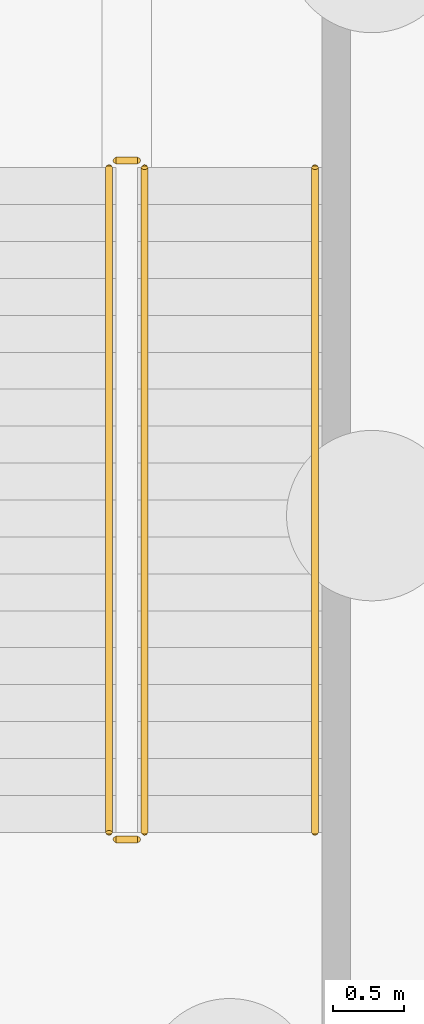
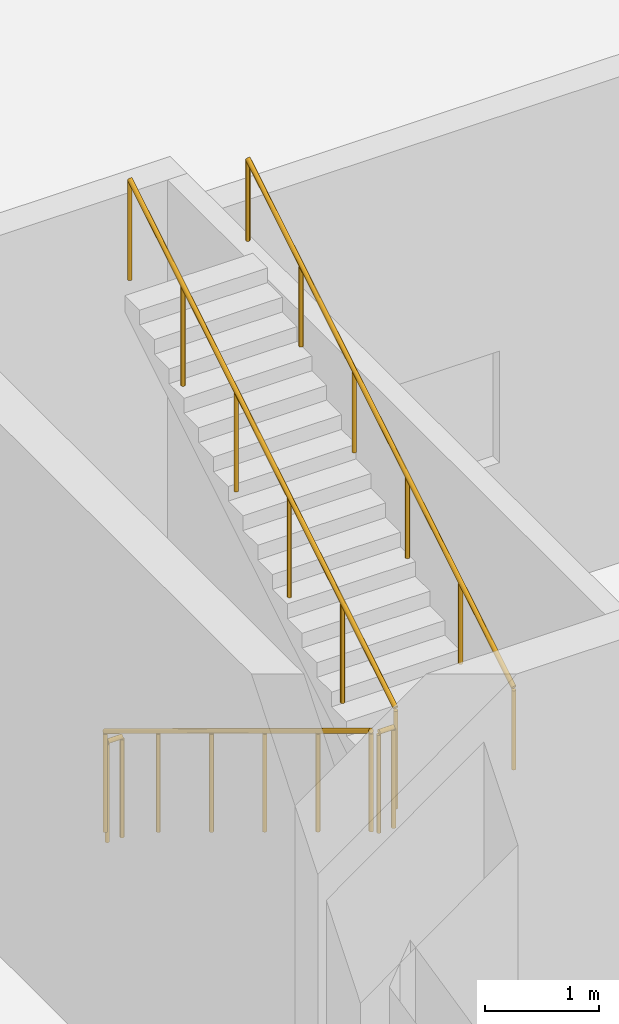
# One storey, part 96 of 108: 5 railings.
"""IFC4 building model written with IfcOpenShell, lengths in metres."""

from ifc_helpers import new_model, si_unit, direction, frame, origin, origin_2d, place, context, subcontext, project, spatial, circle, extrude, material, type_object, element, save


model = new_model("IFC4")

# Units and contexts
model_context = context("Model", 3, precision=1e-05, world=origin(), true_north=direction((0.0, 1.0)))
body_context = subcontext(model_context, "Body", "Model", "MODEL_VIEW")
ifc_project = project(units=[si_unit("LENGTHUNIT", "METRE"), si_unit("AREAUNIT", "SQUARE_METRE"), si_unit("VOLUMEUNIT", "CUBIC_METRE"), si_unit("PLANEANGLEUNIT", "RADIAN"), si_unit("MASSUNIT", "GRAM", prefix="KILO")], contexts=[model_context])

# Site, building, storey
site_placement = place(None, origin())
site = spatial("IfcSite", under=ifc_project, at=site_placement, CompositionType="ELEMENT")
building_placement = place(site_placement, origin())
building = spatial("IfcBuilding", under=site, at=building_placement, Name="Cresset Court Congress Hotel", CompositionType="ELEMENT")
storey_placement = place(building_placement, origin())
storey = spatial("IfcBuildingStorey", under=building, at=storey_placement, Name="L00", CompositionType="ELEMENT", Elevation=0.0)

# Railings
ifc_material_1 = material(Name="Stainless steel", Category="steel")
railing_type_1 = type_object("IfcRailingType", Name="Handrail 900", PredefinedType="HANDRAIL", material=ifc_material_1)
railing_1_placement = place(storey_placement, frame((11.5, 102.719970703125, 3.157958984375)))
element("IfcRailing", 1, at=railing_1_placement, inside=storey, type_object=railing_type_1, Name="L00 ST-D3 stair handrail 2", PredefinedType="HANDRAIL", context=body_context, shape_type="SweptSolid", body=[
    extrude(circle(Radius=0.02392578125, at=origin_2d()), frame((0.0, 0.0, 0.8759765625), z_axis=(0.0, 0.854734527071, 0.519065398802), x_axis=(-1.0, 0.0, 0.0)), (0.0, 0.0, 1.0), 5.475341796875),
    extrude(circle(Radius=0.02099609375, at=origin_2d()), origin(), (0.0, 0.0, 1.0), 0.851806640625),
    extrude(circle(Radius=0.02099609375, at=origin_2d()), frame((0.0, 0.93603515625, 0.568359375)), (0.0, 0.0, 1.0), 0.851806640625),
    extrude(circle(Radius=0.02099609375, at=origin_2d()), frame((0.0, 1.8720703125, 1.13671875)), (0.0, 0.0, 1.0), 0.851806640625),
    extrude(circle(Radius=0.02099609375, at=origin_2d()), frame((0.0, 2.807861328125, 1.705322265625)), (0.0, 0.0, 1.0), 0.851806640625),
    extrude(circle(Radius=0.02099609375, at=origin_2d()), frame((0.0, 3.743896484375, 2.273681640625)), (0.0, 0.0, 1.0), 0.851806640625),
    extrude(circle(Radius=0.02099609375, at=origin_2d()), frame((0.0, 4.679931640625, 2.842041015625)), (0.0, 0.0, 1.0), 0.851806640625),
])
ifc_material_2 = material(Name="Stainless steel", Category="steel")
railing_type_2 = type_object("IfcRailingType", Name="Stair guard 1100 internal", PredefinedType="GUARDRAIL", material=ifc_material_2)
railing_2_placement = place(storey_placement, frame((10.050048828125, 107.39990234375, 0.157958984375)))
element("IfcRailing", 2, at=railing_2_placement, inside=storey, type_object=railing_type_2, Name="L00 ST-D3 stair guard 1", PredefinedType="GUARDRAIL", context=body_context, shape_type="SweptSolid", body=[
    extrude(circle(Radius=0.02392578125, at=origin_2d()), frame((0.0, 0.0, 1.076171875), z_axis=(0.0, -0.854734527071, 0.519065398802), x_axis=(1.0, 0.0, 0.0)), (0.0, 0.0, 1.0), 5.475341796875),
    extrude(circle(Radius=0.02099609375, at=origin_2d()), origin(), (0.0, 0.0, 1.0), 1.052001953125),
    extrude(circle(Radius=0.02099609375, at=origin_2d()), frame((0.0, -0.93603515625, 0.568359375)), (0.0, 0.0, 1.0), 1.052001953125),
    extrude(circle(Radius=0.02099609375, at=origin_2d()), frame((0.0, -1.8720703125, 1.13671875)), (0.0, 0.0, 1.0), 1.052001953125),
    extrude(circle(Radius=0.02099609375, at=origin_2d()), frame((0.0, -2.807861328125, 1.705322265625)), (0.0, 0.0, 1.0), 1.052001953125),
    extrude(circle(Radius=0.02099609375, at=origin_2d()), frame((0.0, -3.743896484375, 2.273681640625)), (0.0, 0.0, 1.0), 1.052001953125),
    extrude(circle(Radius=0.02099609375, at=origin_2d()), frame((0.0, -4.679931640625, 2.842041015625)), (0.0, 0.0, 1.0), 1.052001953125),
])
railing_3_placement = place(storey_placement, frame((10.10009765625, 102.669921875, 3.0)))
element("IfcRailing", 3, at=railing_3_placement, inside=storey, type_object=railing_type_2, Name="L00 ST-D3 stair guard 2", PredefinedType="GUARDRAIL", context=body_context, shape_type="SweptSolid", body=[
    extrude(circle(Radius=0.02392578125, at=origin_2d()), frame((0.0, 0.0, 1.076171875), z_axis=(1.0, 0.0, 0.0), x_axis=(0.0, 1.0, 0.0)), (0.0, 0.0, 1.0), 0.14990234375),
    extrude(circle(Radius=0.02099609375, at=origin_2d()), origin(), (0.0, 0.0, 1.0), 1.052001953125),
    extrude(circle(Radius=0.02099609375, at=origin_2d()), frame((0.14990234375, 0.0, 0.0)), (0.0, 0.0, 1.0), 1.052001953125),
])
railing_4_placement = place(storey_placement, frame((10.300048828125, 102.719970703125, 3.157958984375)))
element("IfcRailing", 4, at=railing_4_placement, inside=storey, type_object=railing_type_2, Name="L00 ST-D3 stair guard 3", PredefinedType="GUARDRAIL", context=body_context, shape_type="SweptSolid", body=[
    extrude(circle(Radius=0.02392578125, at=origin_2d()), frame((0.0, 0.0, 1.076171875), z_axis=(0.0, 0.854734527071, 0.519065398802), x_axis=(-1.0, 0.0, 0.0)), (0.0, 0.0, 1.0), 5.475341796875),
    extrude(circle(Radius=0.02099609375, at=origin_2d()), origin(), (0.0, 0.0, 1.0), 1.052001953125),
    extrude(circle(Radius=0.02099609375, at=origin_2d()), frame((0.0, 0.93603515625, 0.568359375)), (0.0, 0.0, 1.0), 1.052001953125),
    extrude(circle(Radius=0.02099609375, at=origin_2d()), frame((0.0, 1.8720703125, 1.13671875)), (0.0, 0.0, 1.0), 1.052001953125),
    extrude(circle(Radius=0.02099609375, at=origin_2d()), frame((0.0, 2.807861328125, 1.705322265625)), (0.0, 0.0, 1.0), 1.052001953125),
    extrude(circle(Radius=0.02099609375, at=origin_2d()), frame((0.0, 3.743896484375, 2.273681640625)), (0.0, 0.0, 1.0), 1.052001953125),
    extrude(circle(Radius=0.02099609375, at=origin_2d()), frame((0.0, 4.679931640625, 2.842041015625)), (0.0, 0.0, 1.0), 1.052001953125),
])
railing_5_placement = place(storey_placement, frame((10.10009765625, 107.449951171875, 0.0)))
element("IfcRailing", 5, at=railing_5_placement, inside=storey, type_object=railing_type_2, Name="L00 ST-D3 stair guard 4", PredefinedType="GUARDRAIL", context=body_context, shape_type="SweptSolid", body=[
    extrude(circle(Radius=0.02392578125, at=origin_2d()), frame((0.0, 0.0, 1.076171875), z_axis=(1.0, 0.0, 0.0), x_axis=(0.0, 1.0, 0.0)), (0.0, 0.0, 1.0), 0.14990234375),
    extrude(circle(Radius=0.02099609375, at=origin_2d()), origin(), (0.0, 0.0, 1.0), 1.052001953125),
    extrude(circle(Radius=0.02099609375, at=origin_2d()), frame((0.14990234375, 0.0, 0.0)), (0.0, 0.0, 1.0), 1.052001953125),
])

save(model, "model.ifc")
